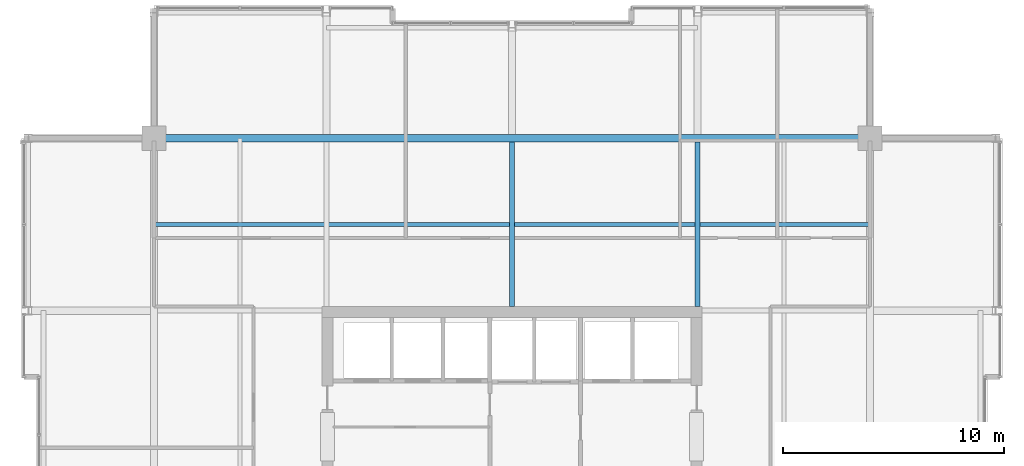
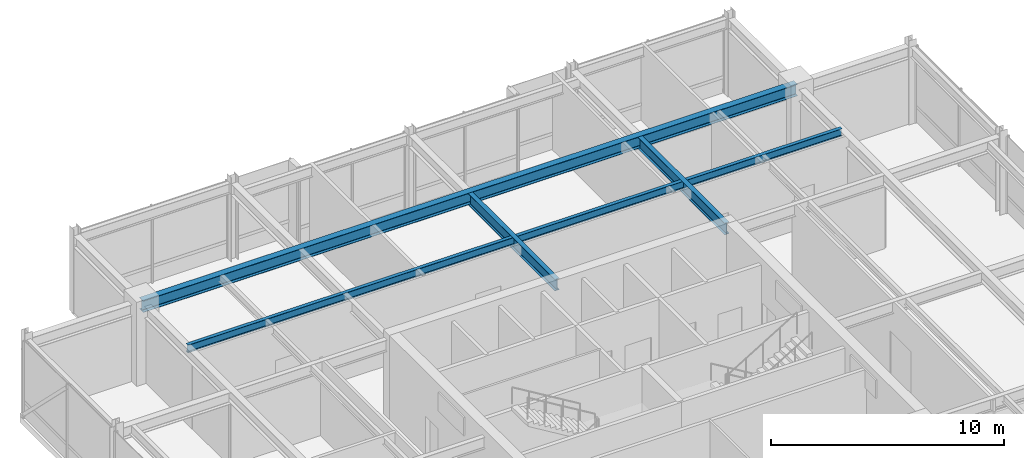
# One storey, part 23 of 33: 4 beams.
"""IFC4 building model written with IfcOpenShell, lengths in metres."""

from ifc_helpers import new_model, si_unit, direction, frame, origin, origin_2d, place, context, subcontext, project, spatial, i_section, extrude, material, material_profile, profile_set, type_object, element, save


model = new_model("IFC4")

# Units and contexts
model_context = context("Model", 3, precision=1e-05, world=origin(), true_north=direction((0.0, 1.0)))
body_context = subcontext(model_context, "Body", "Model", "MODEL_VIEW")
ifc_project = project(units=[si_unit("LENGTHUNIT", "METRE"), si_unit("AREAUNIT", "SQUARE_METRE"), si_unit("VOLUMEUNIT", "CUBIC_METRE"), si_unit("PLANEANGLEUNIT", "RADIAN"), si_unit("MASSUNIT", "GRAM", prefix="KILO")], contexts=[model_context])

# Site, building, storey
site_placement = place(None, origin())
site = spatial("IfcSite", under=ifc_project, at=site_placement, CompositionType="ELEMENT")
building_placement = place(site_placement, origin())
building = spatial("IfcBuilding", under=site, at=building_placement, Name="Drelvath Grand Hotel", CompositionType="ELEMENT")
storey_placement = place(building_placement, frame((0.0, 0.0, 298.60009765625)))
storey = spatial("IfcBuildingStorey", under=building, at=storey_placement, Name="L78", CompositionType="ELEMENT", Elevation=298.60009765625)

# Beams
ifc_material = material(Name="Steel ASTM A992 Gr 50", Category="steel")
ifc_material_profile_1 = material_profile(ifc_material, i_section(OverallWidth=0.177734375, OverallDepth=0.40673828125, WebThickness=0.0078125, FlangeThickness=0.0126953125, FilletRadius=0.014892578125, at=origin_2d()), Name="W16X40")
ifc_profile_set_1 = profile_set([ifc_material_profile_1], Name="Steel ASTM A992 Gr 50")
beam_type_1 = type_object("IfcBeamType", Name="Composite Floor Joist W16X40", PredefinedType="JOIST", material=ifc_profile_set_1)
beam_1_placement = place(storey_placement, frame((-16.199951171875, 39.300048828125, 3.846435546875), z_axis=(1.0, 0.0, 0.0), x_axis=(0.0, 1.0, 0.0)))
element("IfcBeam", 1, at=beam_1_placement, inside=storey, type_object=beam_type_1, Name="L78 Floor Joist J2", PredefinedType="JOIST", context=body_context, shape_type="SweptSolid", body=[
    extrude(i_section(OverallWidth=0.177734375, OverallDepth=0.40673828125, WebThickness=0.0078125, FlangeThickness=0.0126953125, FilletRadius=0.014892578125, at=origin_2d()), origin(), (0.0, 0.0, 1.0), 32.39990234375),
])
ifc_material_profile_2 = material_profile(ifc_material, i_section(OverallWidth=0.323974609375, OverallDepth=0.611083984375, WebThickness=0.0126953125, FlangeThickness=0.01904296875, FilletRadius=0.02197265625, at=origin_2d()), Name="W24X104")
ifc_profile_set_2 = profile_set([ifc_material_profile_2], Name="Steel ASTM A992 Gr 50")
beam_type_2 = type_object("IfcBeamType", Name="Primary Floor Girder W24X104", PredefinedType="BEAM", material=ifc_profile_set_2)
beam_2_placement = place(storey_placement, frame((-16.199951171875, 43.199951171875, 3.744384765625), z_axis=(1.0, 0.0, 0.0), x_axis=(0.0, 1.0, 0.0)))
element("IfcBeam", 2, at=beam_2_placement, inside=storey, type_object=beam_type_2, Name="L78 Mega Ring Girder North", PredefinedType="BEAM", context=body_context, shape_type="SweptSolid", body=[
    extrude(i_section(OverallWidth=0.323974609375, OverallDepth=0.611083984375, WebThickness=0.0126953125, FlangeThickness=0.01904296875, FilletRadius=0.02197265625, at=origin_2d()), origin(), (0.0, 0.0, 1.0), 32.39990234375),
])
ifc_material_profile_3 = material_profile(ifc_material, i_section(OverallWidth=0.228271484375, OverallDepth=0.607666015625, WebThickness=0.01123046875, FlangeThickness=0.017333984375, FilletRadius=0.02001953125, at=origin_2d()), Name="W24X76")
ifc_profile_set_3 = profile_set([ifc_material_profile_3], Name="Steel ASTM A992 Gr 50")
beam_type_3 = type_object("IfcBeamType", Name="Primary Floor Girder W24X76", PredefinedType="BEAM", material=ifc_profile_set_3)
for number, where, z_axis, x_axis, name in (
    (3, (0.0, 35.60009765625, 3.74609375), (0.0, 1.0, 0.0), (-1.0, 0.0, 0.0), "L78 North Core Tie 5"),
    (4, (8.39990234375, 35.60009765625, 3.74609375), (0.0, 1.0, 0.0), (-1.0, 0.0, 0.0), "L78 North Core Tie 6"),
):
    element("IfcBeam", number, at=place(storey_placement, frame(where, z_axis=z_axis, x_axis=x_axis)), inside=storey, type_object=beam_type_3, Name=name, PredefinedType="BEAM", context=body_context, shape_type="SweptSolid", body=[
        extrude(i_section(OverallWidth=0.228271484375, OverallDepth=0.607666015625, WebThickness=0.01123046875, FlangeThickness=0.017333984375, FilletRadius=0.02001953125, at=origin_2d()), origin(), (0.0, 0.0, 1.0), 7.43798828125),
    ])

save(model, "model.ifc")
